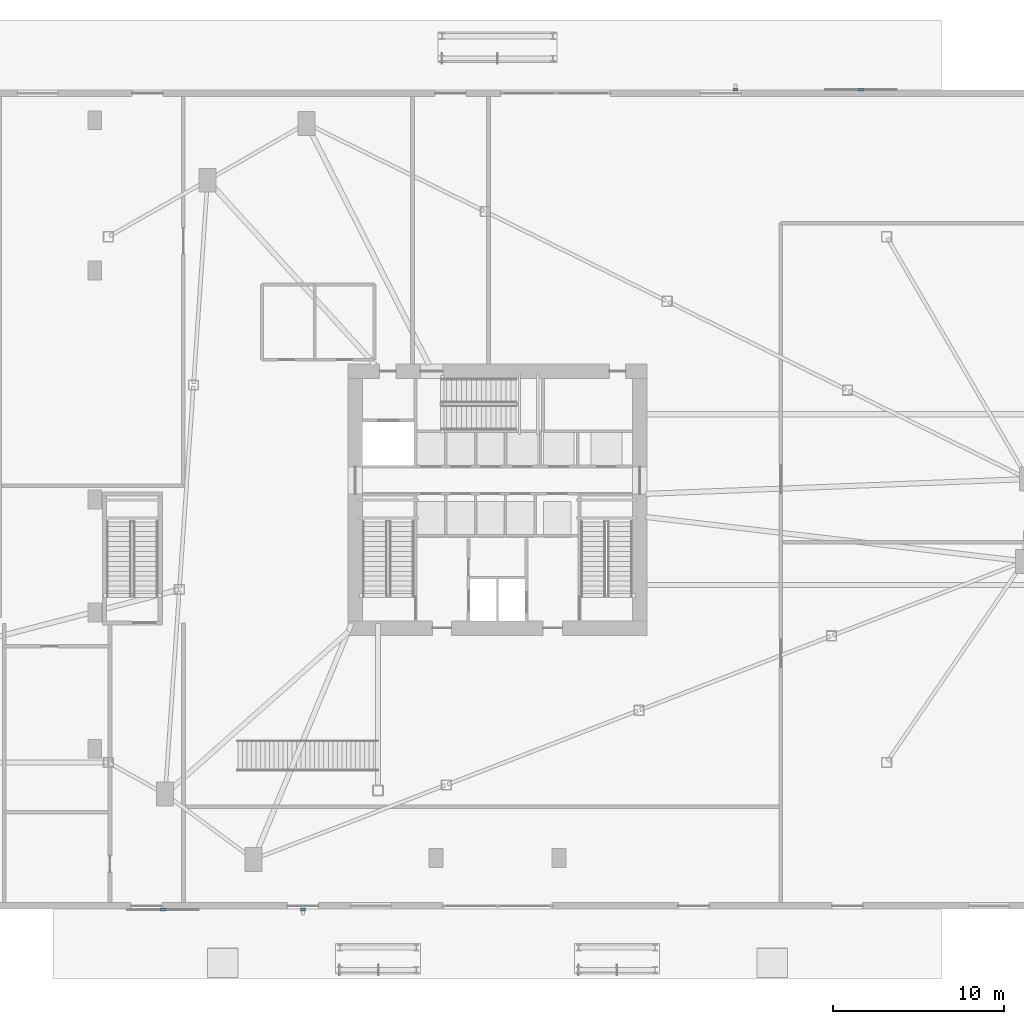
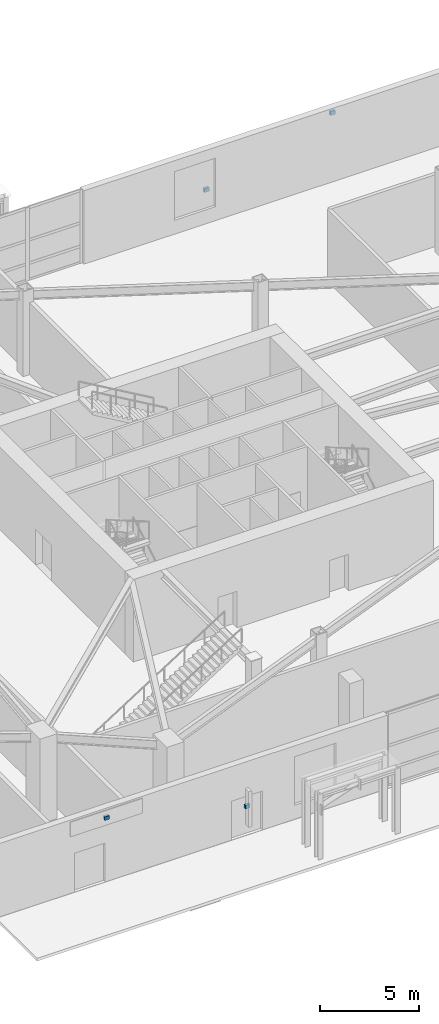
# One storey, part 18 of 22: 4 discrete accessories.
"""IFC4 building model written with IfcOpenShell, lengths in metres."""

import ifcopenshell
import ifcopenshell.guid

model = None  # the IFC model being written
_history = None  # IfcOwnerHistory: only IFC2X3 demands one
_inside = {}  # id of a spatial element -> (the spatial element, [elements in it])
_under = {}  # id of a project, library or spatial element -> (it, [spatial elements below it])
_declared = {}  # id of a project -> (the project, [libraries it declares])
_typed = {}  # id of a type object -> (the type object, [elements of that type])
_made_of = {}  # id of a material, layer set ... -> (it, [elements and type objects made of it])


def new_model(schema):
    """Start an empty IFC model of exactly this schema.

    Asked for "IFC4X3", IfcOpenShell would pick the latest addendum, in which some entities
    have other attributes; the version numbers below select the first issue.
    IFC2X3 requires an IfcOwnerHistory on every rooted entity: one is made here for all.
    """
    global model, _history
    if schema == "IFC4X3":
        model = ifcopenshell.file(schema_version=(4, 3, 0, 0))
    else:
        model = ifcopenshell.file(schema=schema)
    _inside.clear()
    _under.clear()
    _declared.clear()
    _typed.clear()
    _made_of.clear()
    _history = None
    if model.schema == "IFC2X3":
        org = make("IfcOrganization", Name="unknown")
        user = make(
            "IfcPersonAndOrganization",
            ThePerson=make("IfcPerson", FamilyName="unknown"),
            TheOrganization=org,
        )
        app = make(
            "IfcApplication",
            ApplicationDeveloper=org,
            Version="unknown",
            ApplicationFullName="unknown",
            ApplicationIdentifier="unknown",
        )
        _history = make(
            "IfcOwnerHistory",
            OwningUser=user,
            OwningApplication=app,
            ChangeAction="ADDED",
            CreationDate=0,
        )
    return model


def make(cls, **values):
    """One entity of the class cls with the attributes given. An attribute that is None is left unset."""
    return model.create_entity(
        cls, **{name: value for name, value in values.items() if value is not None}
    )


def rooted(cls, **values):
    """An entity with a GlobalId (a new one), such as an element, a storey or a relation."""
    return make(cls, GlobalId=ifcopenshell.guid.new(), OwnerHistory=_history, **values)


def si_unit(unit_type, name, prefix=None):
    """IfcSIUnit, for example si_unit("LENGTHUNIT", "METRE", prefix="MILLI")."""
    return make("IfcSIUnit", UnitType=unit_type, Prefix=prefix, Name=name)


def assignment(units):
    """IfcUnitAssignment: the units of a project."""
    return None if units is None else make("IfcUnitAssignment", Units=units)


def point(xyz):
    """IfcCartesianPoint."""
    return None if xyz is None else make("IfcCartesianPoint", Coordinates=xyz)


def direction(xyz):
    """IfcDirection."""
    return None if xyz is None else make("IfcDirection", DirectionRatios=xyz)


def frame(location, z_axis=None, x_axis=None):
    """IfcAxis2Placement3D, a coordinate frame: its origin and axes. An axis left out is left unset."""
    return make(
        "IfcAxis2Placement3D",
        Location=point(location),
        Axis=direction(z_axis),
        RefDirection=direction(x_axis),
    )


def frame_2d(location, x_axis=None):
    """IfcAxis2Placement2D, a coordinate frame in the plane: its origin and x axis."""
    return make(
        "IfcAxis2Placement2D", Location=point(location), RefDirection=direction(x_axis)
    )


def origin():
    """The frame at (0, 0, 0) with its axes left unset."""
    return frame((0.0, 0.0, 0.0))


def origin_2d():
    """The frame at (0, 0) in the plane with its x axis left unset."""
    return frame_2d((0.0, 0.0))


def place(relative_to, where):
    """IfcLocalPlacement: puts the frame where relative to a parent placement (None: the world)."""
    return make(
        "IfcLocalPlacement", PlacementRelTo=relative_to, RelativePlacement=where
    )


def context(
    kind, dimensions, precision=None, world=None, true_north=None, identifier=None
):
    """IfcGeometricRepresentationContext, for example the 3D "Model" context."""
    return make(
        "IfcGeometricRepresentationContext",
        ContextIdentifier=identifier,
        ContextType=kind,
        CoordinateSpaceDimension=dimensions,
        Precision=precision,
        WorldCoordinateSystem=world,
        TrueNorth=true_north,
    )


def subcontext(parent, identifier, kind, view, scale=None):
    """IfcGeometricRepresentationSubContext, for example "Body" below "Model"."""
    return make(
        "IfcGeometricRepresentationSubContext",
        ContextIdentifier=identifier,
        ContextType=kind,
        ParentContext=parent,
        TargetScale=scale,
        TargetView=view,
    )


def project(units=None, contexts=None):
    """IfcProject with its units and contexts."""
    return rooted(
        "IfcProject",
        Name="project",
        RepresentationContexts=contexts,
        UnitsInContext=assignment(units),
    )


def spatial(cls, under=None, at=None, **own):
    """A site, building, storey or space (cls), placed at a placement, below another one or the project."""
    s = rooted(cls, ObjectPlacement=at, **own)
    if under is not None:
        _under.setdefault(under.id(), (under, []))[1].append(s)
    return s


def profile(cls, at=None, kind="AREA", **sizes):
    """A parametric profile (cls). Its sizes go by their IFC names, for example OverallWidth=200.0."""
    return make(cls, ProfileType=kind, Position=at, **sizes)


def rectangle(**sizes):
    """IfcRectangleProfileDef."""
    return profile("IfcRectangleProfileDef", **sizes)


def extrude(swept, where, along, depth):
    """IfcExtrudedAreaSolid: the profile swept, set in the frame where, extruded along a direction by depth."""
    return make(
        "IfcExtrudedAreaSolid",
        SweptArea=swept,
        Position=where,
        ExtrudedDirection=direction(along),
        Depth=depth,
    )


def shape(context_of_items, identifier, shape_type, items):
    """IfcShapeRepresentation: the items that make up one representation, for example the "Body"."""
    return make(
        "IfcShapeRepresentation",
        ContextOfItems=context_of_items,
        RepresentationIdentifier=identifier,
        RepresentationType=shape_type,
        Items=items,
    )


def source(mapping_origin, context_of_items, identifier, shape_type, items):
    """IfcRepresentationMap: a shape defined once, which mapped items show again and again."""
    return make(
        "IfcRepresentationMap",
        MappingOrigin=mapping_origin,
        MappedRepresentation=shape(context_of_items, identifier, shape_type, items),
    )


def transform(
    local_origin,
    x_axis=None,
    y_axis=None,
    z_axis=None,
    scale=None,
    scale2=None,
    scale3=None,
    uniform=True,
):
    """IfcCartesianTransformationOperator3D, or its non-uniform kind. x_axis, y_axis, z_axis: its Axis1, 2, 3."""
    if uniform:
        return make(
            "IfcCartesianTransformationOperator3D",
            Axis1=direction(x_axis),
            Axis2=direction(y_axis),
            LocalOrigin=point(local_origin),
            Scale=scale,
            Axis3=direction(z_axis),
        )
    return make(
        "IfcCartesianTransformationOperator3DnonUniform",
        Axis1=direction(x_axis),
        Axis2=direction(y_axis),
        LocalOrigin=point(local_origin),
        Scale=scale,
        Axis3=direction(z_axis),
        Scale2=scale2,
        Scale3=scale3,
    )


def mapped(mapping_source, mapping_target):
    """IfcMappedItem: shows the shape of a source again, moved by a transform."""
    return make(
        "IfcMappedItem", MappingSource=mapping_source, MappingTarget=mapping_target
    )


def material(Name=None, Category=None):
    """IfcMaterial."""
    return make("IfcMaterial", Name=Name, Category=Category)


def made_of(thing, what):
    """Note that an element or type object is made of a material, layer set ...; save() writes the relation."""
    if what is not None:
        _made_of.setdefault(what.id(), (what, []))[1].append(thing)
    return thing


def type_object(cls, material=None, **own):
    """A type object (cls), such as IfcWallType, which elements share."""
    return made_of(rooted(cls, **own), material)


def element(
    cls,
    number,
    at=None,
    inside=None,
    cuts=None,
    type_object=None,
    material=None,
    context=None,
    identifier="Body",
    shape_type=None,
    held_by="IfcProductDefinitionShape",
    body=None,
    shapes=None,
    **own,
):
    """One element of the class cls, such as IfcWall. Its Tag is "e" and its number.

    at: its placement. inside: the storey or other place that contains it. cuts: it is an
    opening in that element (IfcRelVoidsElement). A single representation is given by context,
    identifier, shape_type and body (its items); several are given by shapes. held_by: the class
    of the entity that holds the representations. save() writes the other relations.
    """
    e = rooted(cls, Tag="e%d" % number, ObjectPlacement=at, **own)
    if body is not None:
        shapes = [shape(context, identifier, shape_type, body)]
    if shapes is not None:
        e.Representation = make(held_by, Representations=shapes)
    if inside is not None:
        _inside.setdefault(inside.id(), (inside, []))[1].append(e)
    if cuts is not None:
        rooted(
            "IfcRelVoidsElement", RelatingBuildingElement=cuts, RelatedOpeningElement=e
        )
    if type_object is not None:
        _typed.setdefault(type_object.id(), (type_object, []))[1].append(e)
    return made_of(e, material)


def aggregate(whole, parts):
    """IfcRelAggregates: a whole, such as a stair, and the parts it consists of."""
    return rooted("IfcRelAggregates", RelatingObject=whole, RelatedObjects=parts)


def save(model, path):
    """Write the relations noted so far, then the file.

    IfcRelAggregates (storeys below a building ...), IfcRelContainedInSpatialStructure (elements
    in a storey), IfcRelDefinesByType, IfcRelAssociatesMaterial and IfcRelDeclares: one each for
    every whole, place, type object, material and project.
    """
    for whole, parts in _under.values():
        aggregate(whole, parts)
    for where, things in _inside.values():
        rooted(
            "IfcRelContainedInSpatialStructure",
            RelatedElements=things,
            RelatingStructure=where,
        )
    for kind, things in _typed.values():
        rooted("IfcRelDefinesByType", RelatedObjects=things, RelatingType=kind)
    for what, things in _made_of.values():
        rooted("IfcRelAssociatesMaterial", RelatedObjects=things, RelatingMaterial=what)
    for by, libraries in _declared.values():
        rooted("IfcRelDeclares", RelatingContext=by, RelatedDefinitions=libraries)
    model.write(path)


model = new_model("IFC4")

# Units and contexts
model_context = context("Model", 3, precision=1e-05, world=origin(), true_north=direction((0.0, 1.0)))
body_context = subcontext(model_context, "Body", "Model", "MODEL_VIEW")
ifc_project = project(units=[si_unit("LENGTHUNIT", "METRE"), si_unit("AREAUNIT", "SQUARE_METRE"), si_unit("VOLUMEUNIT", "CUBIC_METRE"), si_unit("PLANEANGLEUNIT", "RADIAN"), si_unit("MASSUNIT", "GRAM", prefix="KILO")], contexts=[model_context])

# Site, building, storey
site_placement = place(None, origin())
site = spatial("IfcSite", under=ifc_project, at=site_placement, CompositionType="ELEMENT")
building_placement = place(site_placement, origin())
building = spatial("IfcBuilding", under=site, at=building_placement, Name="Olszyna Solenne Hotel", CompositionType="ELEMENT")
storey_placement = place(building_placement, origin())
storey = spatial("IfcBuildingStorey", under=building, at=storey_placement, Name="L00", CompositionType="ELEMENT", Elevation=0.0)

# Discrete accessories
ifc_material = material(Name="Steel S355J2", Category="steel")
discrete_accessory_type = type_object("IfcDiscreteAccessoryType", Name="BRK-01", PredefinedType="BRACKET", material=ifc_material)
shared_shape = source(origin(), body_context, "Body", "SweptSolid", [
    extrude(rectangle(XDim=0.280029296875, YDim=0.159912109375, at=origin_2d()), origin(), (0.0, 0.0, 1.0), 0.219970703125),
])
for number, where, z_axis, x_axis, name in (
    (1, (18.39990234375, 2.5849609375, 3.86181640625), (0.0, 0.0, 1.0), (-1.0, 0.0, 0.0), "Facade support bracket BRK-CD-L00-SW"),
    (2, (26.60009765625, 2.5849609375, 1.68994140625), (0.0, 0.0, 1.0), (-1.0, 0.0, 0.0), "Facade support bracket BRK-FN-L00-SW"),
    (3, (59.300048828125, 50.614990234375, 3.86181640625), (0.0, 0.0, 1.0), (1.0, 0.0, 0.0), "Facade support bracket BRK-CD-L00-NE"),
    (4, (51.949951171875, 50.614990234375, 1.68994140625), (0.0, 0.0, 1.0), (1.0, 0.0, 0.0), "Facade support bracket BRK-FN-L00-NE"),
):
    element("IfcDiscreteAccessory", number, at=place(storey_placement, frame(where, z_axis=z_axis, x_axis=x_axis)), inside=storey, type_object=discrete_accessory_type, Name=name, PredefinedType="BRACKET", context=body_context, shape_type="MappedRepresentation", body=[
        mapped(shared_shape, transform((0.0, 0.0, 0.0), x_axis=(1.0, 0.0, 0.0), y_axis=(0.0, 1.0, 0.0), z_axis=(0.0, 0.0, 1.0), scale=1.0)),
    ])

save(model, "model.ifc")
